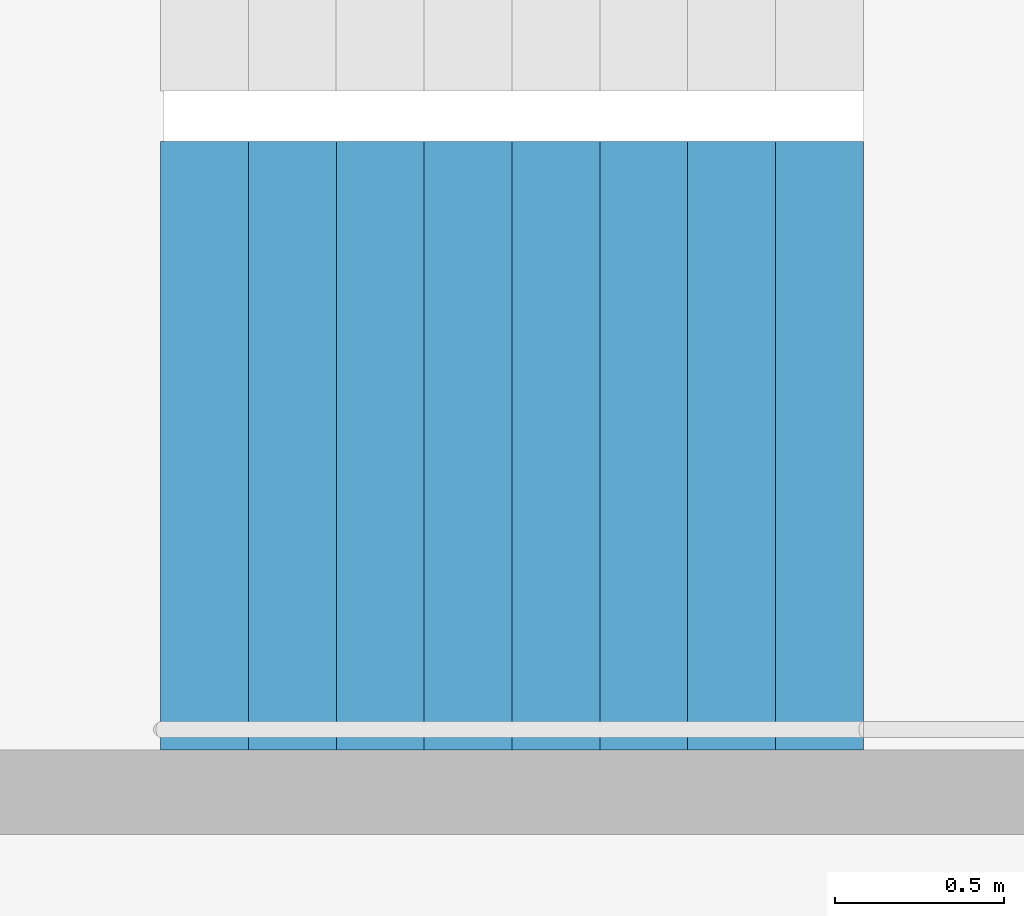
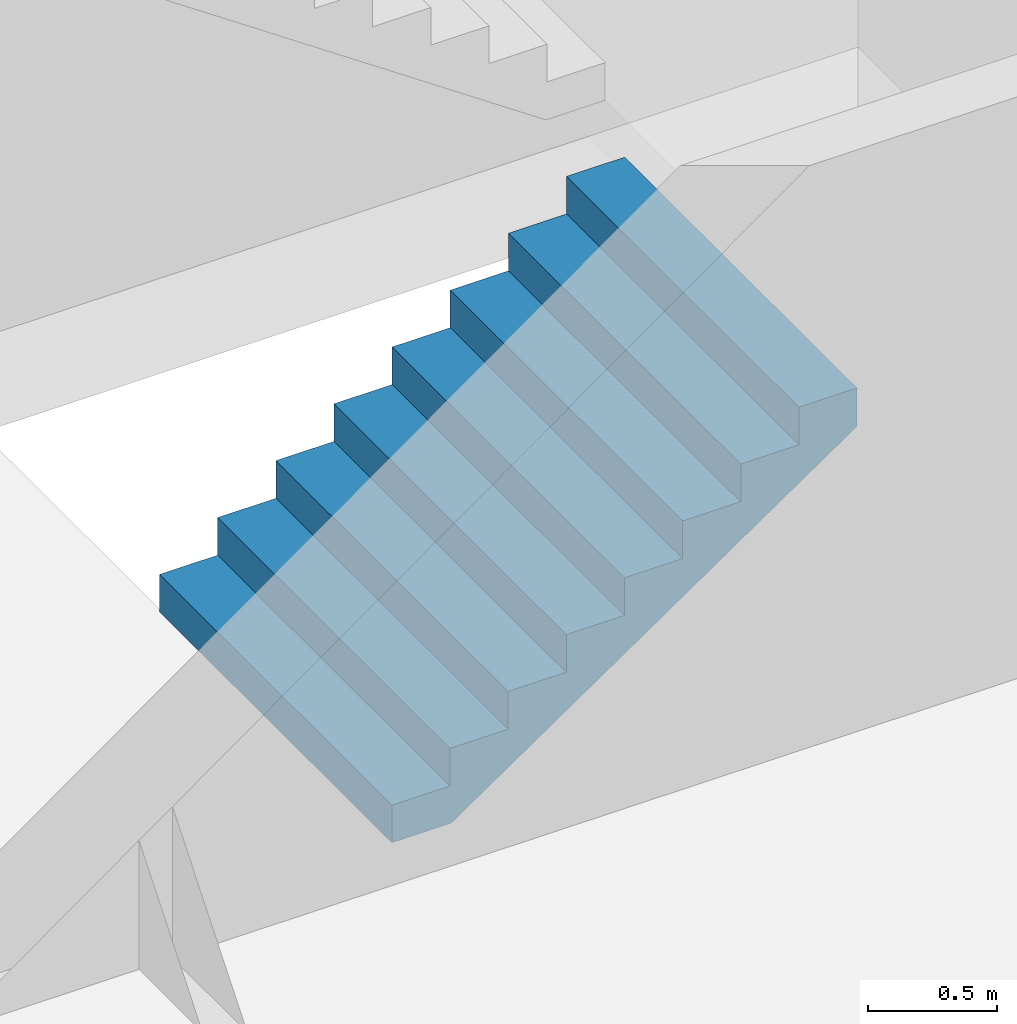
# One storey, part 21 of 27: 1 stair flight, 1 element without a shape of its own.
"""IFC4 building model written with IfcOpenShell, lengths in metres."""

from ifc_helpers import new_model, si_unit, direction, frame, origin, place, context, subcontext, project, spatial, triangles, material, type_object, element, aggregate, save


model = new_model("IFC4")

# Units and contexts
model_context = context("Model", 3, precision=1e-05, world=origin(), true_north=direction((0.0, 1.0)))
body_context = subcontext(model_context, "Body", "Model", "MODEL_VIEW")
ifc_project = project(units=[si_unit("LENGTHUNIT", "METRE"), si_unit("AREAUNIT", "SQUARE_METRE"), si_unit("VOLUMEUNIT", "CUBIC_METRE"), si_unit("PLANEANGLEUNIT", "RADIAN"), si_unit("MASSUNIT", "GRAM", prefix="KILO")], contexts=[model_context])

# Site, building, storey
site_placement = place(None, origin())
site = spatial("IfcSite", under=ifc_project, at=site_placement, CompositionType="ELEMENT")
building_placement = place(site_placement, origin())
building = spatial("IfcBuilding", under=site, at=building_placement, Name="Hakoniwa Tower and Hamabe Station Hall", CompositionType="ELEMENT")
storey_placement = place(building_placement, frame((0.0, 0.0, 166.199951171875)))
storey = spatial("IfcBuildingStorey", under=building, at=storey_placement, Name="L47", CompositionType="ELEMENT", Elevation=166.199951171875)

# Stair, stair flight
ifc_material_1 = material(Name="Concrete C40", Category="concrete")
stair_type = type_object("IfcStairType", Name="ESCAPE STAIR 1800", PredefinedType="HALF_TURN_STAIR", material=ifc_material_1)
stair_placement = place(storey_placement, origin())
stair = element("IfcStair", 1, at=stair_placement, inside=storey, type_object=stair_type, Name="Escape stair ST-1 L47", PredefinedType="HALF_TURN_STAIR")
ifc_material_2 = material(Name="Concrete C40", Category="concrete")
stair_flight_type = type_object("IfcStairFlightType", Name="STAIR FLIGHT 1800", PredefinedType="STRAIGHT", material=ifc_material_2)
stair_flight_placement = place(storey_placement, frame((-24.39990234375, 4.64990234375, 0.0), z_axis=(0.0, 0.0, 1.0), x_axis=(1.0, 0.0, 0.0)))
stair_flight = element("IfcStairFlight", 2, at=stair_flight_placement, type_object=stair_flight_type, Name="ST-1 flight 1", NumberOfRisers=9, NumberOfTreads=8, PredefinedType="STRAIGHT", RiserHeight=0.177777778, TreadLength=0.26, context=body_context, shape_type="Tessellation", body=[
    triangles([(0.0, 0.89990234375, 0.0), (0.260009765625, 0.89990234375, 0.0), (0.265625, 0.89990234375, 0.0), (0.52001953125, 0.89990234375, 0.174072265625), (0.780029296875, 0.89990234375, 0.351806640625), (1.0400390625, 0.89990234375, 0.529541015625), (1.300048828125, 0.89990234375, 0.707275390625), (1.56005859375, 0.89990234375, 0.885009765625), (1.820068359375, 0.89990234375, 1.062744140625), (2.080078125, 0.89990234375, 1.24072265625), (2.080078125, 0.89990234375, 1.422119140625), (1.820068359375, 0.89990234375, 1.422119140625), (1.820068359375, 0.89990234375, 1.244384765625), (1.56005859375, 0.89990234375, 1.244384765625), (1.56005859375, 0.89990234375, 1.066650390625), (1.300048828125, 0.89990234375, 1.066650390625), (1.300048828125, 0.89990234375, 0.888916015625), (1.0400390625, 0.89990234375, 0.888916015625), (1.0400390625, 0.89990234375, 0.711181640625), (0.780029296875, 0.89990234375, 0.711181640625), (0.780029296875, 0.89990234375, 0.533447265625), (0.52001953125, 0.89990234375, 0.533447265625), (0.52001953125, 0.89990234375, 0.35546875), (0.265625, 0.89990234375, 0.35546875), (0.260009765625, 0.89990234375, 0.35546875), (0.260009765625, 0.89990234375, 0.177734375), (0.0, 0.89990234375, 0.177734375), (0.0, 0.06005859375, 0.0), (0.260009765625, 0.06005859375, 0.0), (0.265625, 0.06005859375, 0.0), (0.52001953125, 0.06005859375, 0.174072265625), (0.780029296875, 0.06005859375, 0.351806640625), (1.0400390625, 0.06005859375, 0.529541015625), (1.300048828125, 0.06005859375, 0.707275390625), (1.56005859375, 0.06005859375, 0.885009765625), (1.820068359375, 0.06005859375, 1.062744140625), (2.080078125, 0.06005859375, 1.24072265625), (2.080078125, 0.06005859375, 1.422119140625), (1.820068359375, 0.06005859375, 1.422119140625), (1.820068359375, 0.06005859375, 1.244384765625), (1.56005859375, 0.06005859375, 1.244384765625), (1.56005859375, 0.06005859375, 1.066650390625), (1.300048828125, 0.06005859375, 1.066650390625), (1.300048828125, 0.06005859375, 0.888916015625), (1.0400390625, 0.06005859375, 0.888916015625), (1.0400390625, 0.06005859375, 0.711181640625), (0.780029296875, 0.06005859375, 0.711181640625), (0.780029296875, 0.06005859375, 0.533447265625), (0.52001953125, 0.06005859375, 0.533447265625), (0.52001953125, 0.06005859375, 0.35546875), (0.265625, 0.06005859375, 0.35546875), (0.260009765625, 0.06005859375, 0.35546875), (0.260009765625, 0.06005859375, 0.177734375), (0.0, 0.06005859375, 0.177734375), (0.0, 0.04296875, 0.0), (0.260009765625, 0.04296875, 0.0), (0.265625, 0.04296875, 0.0), (0.52001953125, 0.04296875, 0.174072265625), (0.780029296875, 0.04296875, 0.351806640625), (1.0400390625, 0.04296875, 0.529541015625), (1.300048828125, 0.04296875, 0.707275390625), (1.56005859375, 0.04296875, 0.885009765625), (1.820068359375, 0.04296875, 1.062744140625), (2.080078125, 0.04296875, 1.24072265625), (2.080078125, 0.04296875, 1.422119140625), (1.820068359375, 0.04296875, 1.422119140625), (1.820068359375, 0.04296875, 1.244384765625), (1.56005859375, 0.04296875, 1.244384765625), (1.56005859375, 0.04296875, 1.066650390625), (1.300048828125, 0.04296875, 1.066650390625), (1.300048828125, 0.04296875, 0.888916015625), (1.0400390625, 0.04296875, 0.888916015625), (1.0400390625, 0.04296875, 0.711181640625), (0.780029296875, 0.04296875, 0.711181640625), (0.780029296875, 0.04296875, 0.533447265625), (0.52001953125, 0.04296875, 0.533447265625), (0.52001953125, 0.04296875, 0.35546875), (0.265625, 0.04296875, 0.35546875), (0.260009765625, 0.04296875, 0.35546875), (0.260009765625, 0.04296875, 0.177734375), (0.0, 0.04296875, 0.177734375), (0.0, 0.025634765625, 0.0), (0.260009765625, 0.025634765625, 0.0), (0.265625, 0.025634765625, 0.0), (0.52001953125, 0.025634765625, 0.174072265625), (0.780029296875, 0.025634765625, 0.351806640625), (1.0400390625, 0.025634765625, 0.529541015625), (1.300048828125, 0.025634765625, 0.707275390625), (1.56005859375, 0.025634765625, 0.885009765625), (1.820068359375, 0.025634765625, 1.062744140625), (2.080078125, 0.025634765625, 1.24072265625), (2.080078125, 0.025634765625, 1.422119140625), (1.820068359375, 0.025634765625, 1.422119140625), (1.820068359375, 0.025634765625, 1.244384765625), (1.56005859375, 0.025634765625, 1.244384765625), (1.56005859375, 0.025634765625, 1.066650390625), (1.300048828125, 0.025634765625, 1.066650390625), (1.300048828125, 0.025634765625, 0.888916015625), (1.0400390625, 0.025634765625, 0.888916015625), (1.0400390625, 0.025634765625, 0.711181640625), (0.780029296875, 0.025634765625, 0.711181640625), (0.780029296875, 0.025634765625, 0.533447265625), (0.52001953125, 0.025634765625, 0.533447265625), (0.52001953125, 0.025634765625, 0.35546875), (0.265625, 0.025634765625, 0.35546875), (0.260009765625, 0.025634765625, 0.35546875), (0.260009765625, 0.025634765625, 0.177734375), (0.0, 0.025634765625, 0.177734375), (0.0, 0.008544921875, 0.0), (0.260009765625, 0.008544921875, 0.0), (0.265625, 0.008544921875, 0.0), (0.52001953125, 0.008544921875, 0.174072265625), (0.780029296875, 0.008544921875, 0.351806640625), (1.0400390625, 0.008544921875, 0.529541015625), (1.300048828125, 0.008544921875, 0.707275390625), (1.56005859375, 0.008544921875, 0.885009765625), (1.820068359375, 0.008544921875, 1.062744140625), (2.080078125, 0.008544921875, 1.24072265625), (2.080078125, 0.008544921875, 1.422119140625), (1.820068359375, 0.008544921875, 1.422119140625), (1.820068359375, 0.008544921875, 1.244384765625), (1.56005859375, 0.008544921875, 1.244384765625), (1.56005859375, 0.008544921875, 1.066650390625), (1.300048828125, 0.008544921875, 1.066650390625), (1.300048828125, 0.008544921875, 0.888916015625), (1.0400390625, 0.008544921875, 0.888916015625), (1.0400390625, 0.008544921875, 0.711181640625), (0.780029296875, 0.008544921875, 0.711181640625), (0.780029296875, 0.008544921875, 0.533447265625), (0.52001953125, 0.008544921875, 0.533447265625), (0.52001953125, 0.008544921875, 0.35546875), (0.265625, 0.008544921875, 0.35546875), (0.260009765625, 0.008544921875, 0.35546875), (0.260009765625, 0.008544921875, 0.177734375), (0.0, 0.008544921875, 0.177734375), (0.0, -0.008544921875, 0.0), (0.260009765625, -0.008544921875, 0.0), (0.265625, -0.008544921875, 0.0), (0.52001953125, -0.008544921875, 0.174072265625), (0.780029296875, -0.008544921875, 0.351806640625), (1.0400390625, -0.008544921875, 0.529541015625), (1.300048828125, -0.008544921875, 0.707275390625), (1.56005859375, -0.008544921875, 0.885009765625), (1.820068359375, -0.008544921875, 1.062744140625), (2.080078125, -0.008544921875, 1.24072265625), (2.080078125, -0.008544921875, 1.422119140625), (1.820068359375, -0.008544921875, 1.422119140625), (1.820068359375, -0.008544921875, 1.244384765625), (1.56005859375, -0.008544921875, 1.244384765625), (1.56005859375, -0.008544921875, 1.066650390625), (1.300048828125, -0.008544921875, 1.066650390625), (1.300048828125, -0.008544921875, 0.888916015625), (1.0400390625, -0.008544921875, 0.888916015625), (1.0400390625, -0.008544921875, 0.711181640625), (0.780029296875, -0.008544921875, 0.711181640625), (0.780029296875, -0.008544921875, 0.533447265625), (0.52001953125, -0.008544921875, 0.533447265625), (0.52001953125, -0.008544921875, 0.35546875), (0.265625, -0.008544921875, 0.35546875), (0.260009765625, -0.008544921875, 0.35546875), (0.260009765625, -0.008544921875, 0.177734375), (0.0, -0.008544921875, 0.177734375), (0.0, -0.025634765625, 0.0), (0.260009765625, -0.025634765625, 0.0), (0.265625, -0.025634765625, 0.0), (0.52001953125, -0.025634765625, 0.174072265625), (0.780029296875, -0.025634765625, 0.351806640625), (1.0400390625, -0.025634765625, 0.529541015625), (1.300048828125, -0.025634765625, 0.707275390625), (1.56005859375, -0.025634765625, 0.885009765625), (1.820068359375, -0.025634765625, 1.062744140625), (2.080078125, -0.025634765625, 1.24072265625), (2.080078125, -0.025634765625, 1.422119140625), (1.820068359375, -0.025634765625, 1.422119140625), (1.820068359375, -0.025634765625, 1.244384765625), (1.56005859375, -0.025634765625, 1.244384765625), (1.56005859375, -0.025634765625, 1.066650390625), (1.300048828125, -0.025634765625, 1.066650390625), (1.300048828125, -0.025634765625, 0.888916015625), (1.0400390625, -0.025634765625, 0.888916015625), (1.0400390625, -0.025634765625, 0.711181640625), (0.780029296875, -0.025634765625, 0.711181640625), (0.780029296875, -0.025634765625, 0.533447265625), (0.52001953125, -0.025634765625, 0.533447265625), (0.52001953125, -0.025634765625, 0.35546875), (0.265625, -0.025634765625, 0.35546875), (0.260009765625, -0.025634765625, 0.35546875), (0.260009765625, -0.025634765625, 0.177734375), (0.0, -0.025634765625, 0.177734375), (0.0, -0.04296875, 0.0), (0.260009765625, -0.04296875, 0.0), (0.265625, -0.04296875, 0.0), (0.52001953125, -0.04296875, 0.174072265625), (0.780029296875, -0.04296875, 0.351806640625), (1.0400390625, -0.04296875, 0.529541015625), (1.300048828125, -0.04296875, 0.707275390625), (1.56005859375, -0.04296875, 0.885009765625), (1.820068359375, -0.04296875, 1.062744140625), (2.080078125, -0.04296875, 1.24072265625), (2.080078125, -0.04296875, 1.422119140625), (1.820068359375, -0.04296875, 1.422119140625), (1.820068359375, -0.04296875, 1.244384765625), (1.56005859375, -0.04296875, 1.244384765625), (1.56005859375, -0.04296875, 1.066650390625), (1.300048828125, -0.04296875, 1.066650390625), (1.300048828125, -0.04296875, 0.888916015625), (1.0400390625, -0.04296875, 0.888916015625), (1.0400390625, -0.04296875, 0.711181640625), (0.780029296875, -0.04296875, 0.711181640625), (0.780029296875, -0.04296875, 0.533447265625), (0.52001953125, -0.04296875, 0.533447265625), (0.52001953125, -0.04296875, 0.35546875), (0.265625, -0.04296875, 0.35546875), (0.260009765625, -0.04296875, 0.35546875), (0.260009765625, -0.04296875, 0.177734375), (0.0, -0.04296875, 0.177734375), (0.0, -0.06005859375, 0.0), (0.260009765625, -0.06005859375, 0.0), (0.265625, -0.06005859375, 0.0), (0.52001953125, -0.06005859375, 0.174072265625), (0.780029296875, -0.06005859375, 0.351806640625), (1.0400390625, -0.06005859375, 0.529541015625), (1.300048828125, -0.06005859375, 0.707275390625), (1.56005859375, -0.06005859375, 0.885009765625), (1.820068359375, -0.06005859375, 1.062744140625), (2.080078125, -0.06005859375, 1.24072265625), (2.080078125, -0.06005859375, 1.422119140625), (1.820068359375, -0.06005859375, 1.422119140625), (1.820068359375, -0.06005859375, 1.244384765625), (1.56005859375, -0.06005859375, 1.244384765625), (1.56005859375, -0.06005859375, 1.066650390625), (1.300048828125, -0.06005859375, 1.066650390625), (1.300048828125, -0.06005859375, 0.888916015625), (1.0400390625, -0.06005859375, 0.888916015625), (1.0400390625, -0.06005859375, 0.711181640625), (0.780029296875, -0.06005859375, 0.711181640625), (0.780029296875, -0.06005859375, 0.533447265625), (0.52001953125, -0.06005859375, 0.533447265625), (0.52001953125, -0.06005859375, 0.35546875), (0.265625, -0.06005859375, 0.35546875), (0.260009765625, -0.06005859375, 0.35546875), (0.260009765625, -0.06005859375, 0.177734375), (0.0, -0.06005859375, 0.177734375), (0.0, -0.89990234375, 0.0), (0.260009765625, -0.89990234375, 0.0), (0.265625, -0.89990234375, 0.0), (0.52001953125, -0.89990234375, 0.174072265625), (0.780029296875, -0.89990234375, 0.351806640625), (1.0400390625, -0.89990234375, 0.529541015625), (1.300048828125, -0.89990234375, 0.707275390625), (1.56005859375, -0.89990234375, 0.885009765625), (1.820068359375, -0.89990234375, 1.062744140625), (2.080078125, -0.89990234375, 1.24072265625), (2.080078125, -0.89990234375, 1.422119140625), (1.820068359375, -0.89990234375, 1.422119140625), (1.820068359375, -0.89990234375, 1.244384765625), (1.56005859375, -0.89990234375, 1.244384765625), (1.56005859375, -0.89990234375, 1.066650390625), (1.300048828125, -0.89990234375, 1.066650390625), (1.300048828125, -0.89990234375, 0.888916015625), (1.0400390625, -0.89990234375, 0.888916015625), (1.0400390625, -0.89990234375, 0.711181640625), (0.780029296875, -0.89990234375, 0.711181640625), (0.780029296875, -0.89990234375, 0.533447265625), (0.52001953125, -0.89990234375, 0.533447265625), (0.52001953125, -0.89990234375, 0.35546875), (0.265625, -0.89990234375, 0.35546875), (0.260009765625, -0.89990234375, 0.35546875), (0.260009765625, -0.89990234375, 0.177734375), (0.0, -0.89990234375, 0.177734375)], [[2, 27, 26], [245, 269, 270], [2, 1, 27], [245, 270, 244], [3, 25, 24], [246, 267, 268], [3, 26, 25], [246, 268, 269], [3, 2, 26], [246, 269, 245], [4, 24, 23], [247, 266, 267], [4, 3, 24], [247, 267, 246], [5, 22, 21], [248, 264, 265], [5, 23, 22], [248, 265, 266], [5, 4, 23], [248, 266, 247], [6, 20, 19], [249, 262, 263], [6, 21, 20], [249, 263, 264], [6, 5, 21], [249, 264, 248], [7, 18, 17], [250, 260, 261], [7, 19, 18], [250, 261, 262], [7, 6, 19], [250, 262, 249], [8, 16, 15], [251, 258, 259], [8, 17, 16], [251, 259, 260], [8, 7, 17], [251, 260, 250], [9, 14, 13], [252, 256, 257], [9, 15, 14], [252, 257, 258], [9, 8, 15], [252, 258, 251], [10, 12, 11], [253, 254, 255], [10, 13, 12], [253, 255, 256], [10, 9, 13], [253, 256, 252], [1, 2, 29], [1, 29, 28], [28, 29, 56], [28, 56, 55], [55, 56, 83], [55, 83, 82], [82, 83, 110], [82, 110, 109], [109, 110, 137], [109, 137, 136], [136, 137, 164], [136, 164, 163], [163, 164, 191], [163, 191, 190], [190, 191, 218], [190, 218, 217], [217, 218, 245], [217, 245, 244], [2, 3, 30], [2, 30, 29], [29, 30, 57], [29, 57, 56], [56, 57, 84], [56, 84, 83], [83, 84, 111], [83, 111, 110], [110, 111, 138], [110, 138, 137], [137, 138, 165], [137, 165, 164], [164, 165, 192], [164, 192, 191], [191, 192, 219], [191, 219, 218], [218, 219, 246], [218, 246, 245], [3, 4, 31], [3, 31, 30], [30, 31, 58], [30, 58, 57], [57, 58, 85], [57, 85, 84], [84, 85, 112], [84, 112, 111], [111, 112, 139], [111, 139, 138], [138, 139, 166], [138, 166, 165], [165, 166, 193], [165, 193, 192], [192, 193, 220], [192, 220, 219], [219, 220, 247], [219, 247, 246], [4, 5, 32], [4, 32, 31], [31, 32, 59], [31, 59, 58], [58, 59, 86], [58, 86, 85], [85, 86, 113], [85, 113, 112], [112, 113, 140], [112, 140, 139], [139, 140, 167], [139, 167, 166], [166, 167, 194], [166, 194, 193], [193, 194, 221], [193, 221, 220], [220, 221, 248], [220, 248, 247], [5, 6, 33], [5, 33, 32], [32, 33, 60], [32, 60, 59], [59, 60, 87], [59, 87, 86], [86, 87, 114], [86, 114, 113], [113, 114, 141], [113, 141, 140], [140, 141, 168], [140, 168, 167], [167, 168, 195], [167, 195, 194], [194, 195, 222], [194, 222, 221], [221, 222, 249], [221, 249, 248], [6, 7, 34], [6, 34, 33], [33, 34, 61], [33, 61, 60], [60, 61, 88], [60, 88, 87], [87, 88, 115], [87, 115, 114], [114, 115, 142], [114, 142, 141], [141, 142, 169], [141, 169, 168], [168, 169, 196], [168, 196, 195], [195, 196, 223], [195, 223, 222], [222, 223, 250], [222, 250, 249], [7, 8, 35], [7, 35, 34], [34, 35, 62], [34, 62, 61], [61, 62, 89], [61, 89, 88], [88, 89, 116], [88, 116, 115], [115, 116, 143], [115, 143, 142], [142, 143, 170], [142, 170, 169], [169, 170, 197], [169, 197, 196], [196, 197, 224], [196, 224, 223], [223, 224, 251], [223, 251, 250], [8, 9, 36], [8, 36, 35], [35, 36, 63], [35, 63, 62], [62, 63, 90], [62, 90, 89], [89, 90, 117], [89, 117, 116], [116, 117, 144], [116, 144, 143], [143, 144, 171], [143, 171, 170], [170, 171, 198], [170, 198, 197], [197, 198, 225], [197, 225, 224], [224, 225, 252], [224, 252, 251], [9, 10, 37], [9, 37, 36], [36, 37, 64], [36, 64, 63], [63, 64, 91], [63, 91, 90], [90, 91, 118], [90, 118, 117], [117, 118, 145], [117, 145, 144], [144, 145, 172], [144, 172, 171], [171, 172, 199], [171, 199, 198], [198, 199, 226], [198, 226, 225], [225, 226, 253], [225, 253, 252], [10, 11, 38], [10, 38, 37], [37, 38, 65], [37, 65, 64], [64, 65, 92], [64, 92, 91], [91, 92, 119], [91, 119, 118], [118, 119, 146], [118, 146, 145], [145, 146, 173], [145, 173, 172], [172, 173, 200], [172, 200, 199], [199, 200, 227], [199, 227, 226], [226, 227, 254], [226, 254, 253], [11, 12, 39], [11, 39, 38], [38, 39, 66], [38, 66, 65], [65, 66, 93], [65, 93, 92], [92, 93, 120], [92, 120, 119], [119, 120, 147], [119, 147, 146], [146, 147, 174], [146, 174, 173], [173, 174, 201], [173, 201, 200], [200, 201, 228], [200, 228, 227], [227, 228, 255], [227, 255, 254], [12, 13, 40], [12, 40, 39], [39, 40, 67], [39, 67, 66], [66, 67, 94], [66, 94, 93], [93, 94, 121], [93, 121, 120], [120, 121, 148], [120, 148, 147], [147, 148, 175], [147, 175, 174], [174, 175, 202], [174, 202, 201], [201, 202, 229], [201, 229, 228], [228, 229, 256], [228, 256, 255], [13, 14, 41], [13, 41, 40], [40, 41, 68], [40, 68, 67], [67, 68, 95], [67, 95, 94], [94, 95, 122], [94, 122, 121], [121, 122, 149], [121, 149, 148], [148, 149, 176], [148, 176, 175], [175, 176, 203], [175, 203, 202], [202, 203, 230], [202, 230, 229], [229, 230, 257], [229, 257, 256], [14, 15, 42], [14, 42, 41], [41, 42, 69], [41, 69, 68], [68, 69, 96], [68, 96, 95], [95, 96, 123], [95, 123, 122], [122, 123, 150], [122, 150, 149], [149, 150, 177], [149, 177, 176], [176, 177, 204], [176, 204, 203], [203, 204, 231], [203, 231, 230], [230, 231, 258], [230, 258, 257], [15, 16, 43], [15, 43, 42], [42, 43, 70], [42, 70, 69], [69, 70, 97], [69, 97, 96], [96, 97, 124], [96, 124, 123], [123, 124, 151], [123, 151, 150], [150, 151, 178], [150, 178, 177], [177, 178, 205], [177, 205, 204], [204, 205, 232], [204, 232, 231], [231, 232, 259], [231, 259, 258], [16, 17, 44], [16, 44, 43], [43, 44, 71], [43, 71, 70], [70, 71, 98], [70, 98, 97], [97, 98, 125], [97, 125, 124], [124, 125, 152], [124, 152, 151], [151, 152, 179], [151, 179, 178], [178, 179, 206], [178, 206, 205], [205, 206, 233], [205, 233, 232], [232, 233, 260], [232, 260, 259], [17, 18, 45], [17, 45, 44], [44, 45, 72], [44, 72, 71], [71, 72, 99], [71, 99, 98], [98, 99, 126], [98, 126, 125], [125, 126, 153], [125, 153, 152], [152, 153, 180], [152, 180, 179], [179, 180, 207], [179, 207, 206], [206, 207, 234], [206, 234, 233], [233, 234, 261], [233, 261, 260], [18, 19, 46], [18, 46, 45], [45, 46, 73], [45, 73, 72], [72, 73, 100], [72, 100, 99], [99, 100, 127], [99, 127, 126], [126, 127, 154], [126, 154, 153], [153, 154, 181], [153, 181, 180], [180, 181, 208], [180, 208, 207], [207, 208, 235], [207, 235, 234], [234, 235, 262], [234, 262, 261], [19, 20, 47], [19, 47, 46], [46, 47, 74], [46, 74, 73], [73, 74, 101], [73, 101, 100], [100, 101, 128], [100, 128, 127], [127, 128, 155], [127, 155, 154], [154, 155, 182], [154, 182, 181], [181, 182, 209], [181, 209, 208], [208, 209, 236], [208, 236, 235], [235, 236, 263], [235, 263, 262], [20, 21, 48], [20, 48, 47], [47, 48, 75], [47, 75, 74], [74, 75, 102], [74, 102, 101], [101, 102, 129], [101, 129, 128], [128, 129, 156], [128, 156, 155], [155, 156, 183], [155, 183, 182], [182, 183, 210], [182, 210, 209], [209, 210, 237], [209, 237, 236], [236, 237, 264], [236, 264, 263], [21, 22, 49], [21, 49, 48], [48, 49, 76], [48, 76, 75], [75, 76, 103], [75, 103, 102], [102, 103, 130], [102, 130, 129], [129, 130, 157], [129, 157, 156], [156, 157, 184], [156, 184, 183], [183, 184, 211], [183, 211, 210], [210, 211, 238], [210, 238, 237], [237, 238, 265], [237, 265, 264], [22, 23, 50], [22, 50, 49], [49, 50, 77], [49, 77, 76], [76, 77, 104], [76, 104, 103], [103, 104, 131], [103, 131, 130], [130, 131, 158], [130, 158, 157], [157, 158, 185], [157, 185, 184], [184, 185, 212], [184, 212, 211], [211, 212, 239], [211, 239, 238], [238, 239, 266], [238, 266, 265], [23, 24, 51], [23, 51, 50], [50, 51, 78], [50, 78, 77], [77, 78, 105], [77, 105, 104], [104, 105, 132], [104, 132, 131], [131, 132, 159], [131, 159, 158], [158, 159, 186], [158, 186, 185], [185, 186, 213], [185, 213, 212], [212, 213, 240], [212, 240, 239], [239, 240, 267], [239, 267, 266], [24, 25, 52], [24, 52, 51], [51, 52, 79], [51, 79, 78], [78, 79, 106], [78, 106, 105], [105, 106, 133], [105, 133, 132], [132, 133, 160], [132, 160, 159], [159, 160, 187], [159, 187, 186], [186, 187, 214], [186, 214, 213], [213, 214, 241], [213, 241, 240], [240, 241, 268], [240, 268, 267], [25, 26, 53], [25, 53, 52], [52, 53, 80], [52, 80, 79], [79, 80, 107], [79, 107, 106], [106, 107, 134], [106, 134, 133], [133, 134, 161], [133, 161, 160], [160, 161, 188], [160, 188, 187], [187, 188, 215], [187, 215, 214], [214, 215, 242], [214, 242, 241], [241, 242, 269], [241, 269, 268], [26, 27, 54], [26, 54, 53], [53, 54, 81], [53, 81, 80], [80, 81, 108], [80, 108, 107], [107, 108, 135], [107, 135, 134], [134, 135, 162], [134, 162, 161], [161, 162, 189], [161, 189, 188], [188, 189, 216], [188, 216, 215], [215, 216, 243], [215, 243, 242], [242, 243, 270], [242, 270, 269], [27, 1, 28], [27, 28, 54], [54, 28, 55], [54, 55, 81], [81, 55, 82], [81, 82, 108], [108, 82, 109], [108, 109, 135], [135, 109, 136], [135, 136, 162], [162, 136, 163], [162, 163, 189], [189, 163, 190], [189, 190, 216], [216, 190, 217], [216, 217, 243], [243, 217, 244], [243, 244, 270]], closed=True),
])
aggregate(stair, [stair_flight])

save(model, "model.ifc")
